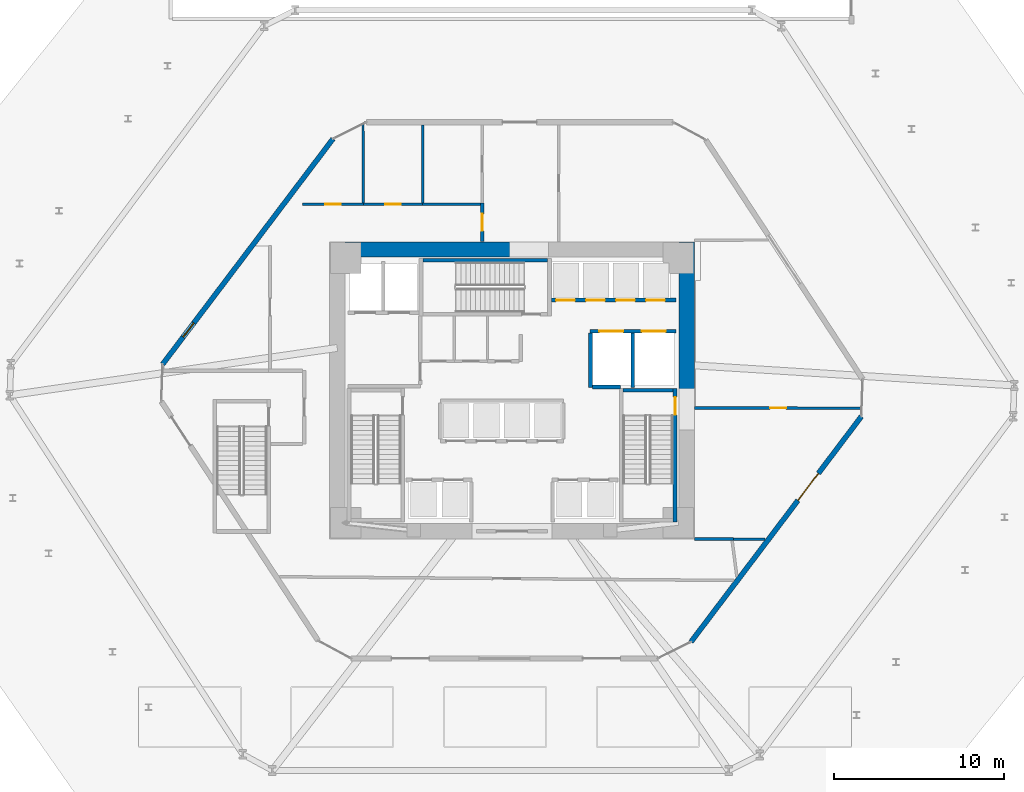
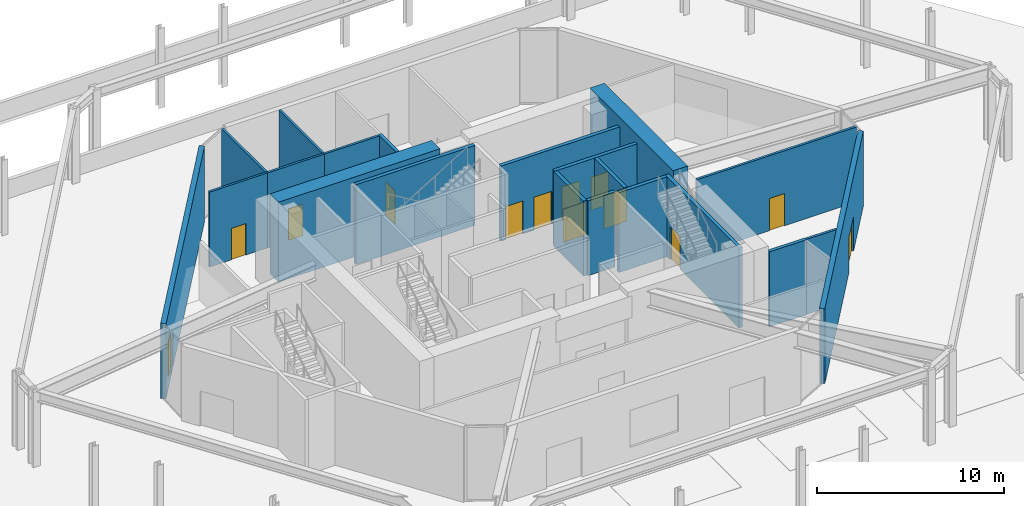
# One storey, part 14 of 18: 21 walls, 13 doors, 13 openings.
"""IFC4 building model written with IfcOpenShell, lengths in metres."""

from ifc_helpers import new_model, si_unit, direction, frame, frame_2d, origin, place, context, subcontext, project, spatial, rectangle, extrude, source, transform, mapped, material, layer, layer_set, type_object, type_shapes, element, fill, save


model = new_model("IFC4")

# Units and contexts
model_context = context("Model", 3, precision=1e-05, world=origin(), true_north=direction((0.0, 1.0)))
body_context = subcontext(model_context, "Body", "Model", "MODEL_VIEW")
ifc_project = project(units=[si_unit("LENGTHUNIT", "METRE"), si_unit("AREAUNIT", "SQUARE_METRE"), si_unit("VOLUMEUNIT", "CUBIC_METRE"), si_unit("PLANEANGLEUNIT", "RADIAN"), si_unit("MASSUNIT", "GRAM", prefix="KILO")], contexts=[model_context])

# Site, building, storey
site_placement = place(None, origin())
site = spatial("IfcSite", under=ifc_project, at=site_placement, CompositionType="ELEMENT")
building_placement = place(site_placement, origin())
building = spatial("IfcBuilding", under=site, at=building_placement, Name="Durnholm Broadcast Tower", CompositionType="ELEMENT")
storey_placement = place(building_placement, origin())
storey = spatial("IfcBuildingStorey", under=building, at=storey_placement, Name="L00", CompositionType="ELEMENT", Elevation=0.0)

# Walls
ifc_material_1 = material(Name="Concrete C70/85", Category="concrete")
ifc_layer_1 = layer(ifc_material_1, 0.89990234375)
ifc_layer_set_1 = layer_set([ifc_layer_1], Name="Concrete C70/85")
wall_type_1 = type_object("IfcWallType", Name="WALL-CW-900", PredefinedType="SHEAR", material=ifc_layer_set_1)
wall_1_placement = place(storey_placement, frame((10.300048828125, -0.14990234375, 0.0), z_axis=(0.0, 0.0, 1.0), x_axis=(0.0, 1.0, 0.0)))
element("IfcWall", 1, at=wall_1_placement, inside=storey, type_object=wall_type_1, Name="L00 central core shear wall CW-E2", PredefinedType="SHEAR", context=body_context, shape_type="SweptSolid", body=[
    extrude(rectangle(XDim=8.89990234375, YDim=0.89990234375, at=frame_2d((4.449951171875, 0.0))), origin(), (0.0, 0.0, 1.0), 5.199951171875),
])
wall_2_placement = place(storey_placement, frame((-9.85009765625, 8.300048828125, 0.0), z_axis=(0.0, 0.0, 1.0), x_axis=(1.0, 0.0, 0.0)))
element("IfcWall", 2, at=wall_2_placement, inside=storey, type_object=wall_type_1, Name="L00 central core shear wall CW-N1", PredefinedType="SHEAR", context=body_context, shape_type="SweptSolid", body=[
    extrude(rectangle(XDim=9.9501953125, YDim=0.89990234375, at=frame_2d((4.97509765625, 0.0))), origin(), (0.0, 0.0, 1.0), 5.199951171875),
])

# Wall, opening, door
ifc_material_2 = material(Name="Precast Concrete C45/55", Category="concrete")
ifc_layer_2 = layer(ifc_material_2, 0.300048828125)
ifc_layer_set_2 = layer_set([ifc_layer_2], Name="Precast Concrete C45/55")
wall_type_2 = type_object("IfcWallType", Name="WALL-EXT-300", PredefinedType="SOLIDWALL", material=ifc_layer_set_2)
wall_3_placement = place(storey_placement, frame((-20.588623046875, 1.537841796875, 0.0), z_axis=(0.0, 0.0, 1.0), x_axis=(0.603015201292, 0.797729695455, 0.0)))
wall_3 = element("IfcWall", 3, at=wall_3_placement, inside=storey, type_object=wall_type_2, Name="L00 plaza perimeter architectural wall 02", PredefinedType="SOLIDWALL", context=body_context, shape_type="SweptSolid", body=[
    extrude(rectangle(XDim=16.649658203125, YDim=0.300048828125, at=frame_2d((8.32470703125, 0.0))), origin(), (0.0, 0.0, 1.0), 4.89990234375),
])
opening_1_placement = place(wall_3_placement, frame((2.0, 0.0, 0.0)))
opening_1 = element("IfcOpeningElement", 4, at=opening_1_placement, cuts=wall_3, Name="Opening DE-FCC", PredefinedType="OPENING", context=body_context, shape_type="SweptSolid", body=[
    extrude(rectangle(XDim=1.050048828125, YDim=2.199951171875, at=frame_2d((0.52490234375, 1.10009765625))), frame((0.0, 0.16015625, 0.0), z_axis=(0.0, -1.0, 0.0), x_axis=(1.0, 0.0, 0.0)), (0.0, 0.0, 1.0), 0.320068359375),
])
ifc_material_3 = material(Name="Anodised Aluminium and Laminated Safety Glass", Category="aluminium")
ifc_layer_3 = layer(ifc_material_3, 0.050048828125)
ifc_layer_set_3 = layer_set([ifc_layer_3], Name="Anodised Aluminium and Laminated Safety Glass")
door_type_1 = type_object("IfcDoorType", Name="DOOR-EXT-FCC", OperationType="SINGLE_SWING_LEFT", PredefinedType="DOOR", material=ifc_layer_set_3)
shared_shape_1 = source(origin(), body_context, "Body", "SweptSolid", [
    extrude(rectangle(XDim=1.050048828125, YDim=2.199951171875, at=frame_2d((0.52490234375, 1.10009765625))), frame((0.0, 0.02490234375, 0.0), z_axis=(0.0, -1.0, 0.0), x_axis=(1.0, 0.0, 0.0)), (0.0, 0.0, 1.0), 0.050048828125),
])
type_shapes(door_type_1, [shared_shape_1])
door_1_placement = place(opening_1_placement, origin())
door_1 = element("IfcDoor", 5, at=door_1_placement, inside=storey, type_object=door_type_1, Name="L00 Fire Command Center exterior exit door 2", OperationType="SINGLE_SWING_LEFT", OverallHeight=2.199951171875, OverallWidth=1.050048828125, PredefinedType="DOOR", context=body_context, shape_type="MappedRepresentation", body=[
    mapped(shared_shape_1, transform((0.0, 0.0, 0.0), x_axis=(1.0, 0.0, 0.0), y_axis=(0.0, 1.0, 0.0), z_axis=(0.0, 0.0, 1.0), scale=1.0)),
])
fill(opening_1, door_1)

wall_4_placement = place(storey_placement, frame((20.588623046875, -1.537841796875, 0.0), z_axis=(0.0, 0.0, 1.0), x_axis=(-0.603015201292, -0.797729695455, 0.0)))
wall_4 = element("IfcWall", 6, at=wall_4_placement, inside=storey, type_object=wall_type_2, Name="L00 plaza perimeter architectural wall 08", PredefinedType="SOLIDWALL", context=body_context, shape_type="SweptSolid", body=[
    extrude(rectangle(XDim=16.649658203125, YDim=0.300048828125, at=frame_2d((8.32470703125, 0.0))), origin(), (0.0, 0.0, 1.0), 4.89990234375),
])
opening_2_placement = place(wall_4_placement, frame((4.199951171875, 0.0, 0.0)))
opening_2 = element("IfcOpeningElement", 7, at=opening_2_placement, cuts=wall_4, Name="Opening DE-2", PredefinedType="OPENING", context=body_context, shape_type="SweptSolid", body=[
    extrude(rectangle(XDim=2.0, YDim=2.300048828125, at=frame_2d((1.0, 1.14990234375))), frame((0.0, 0.16015625, 0.0), z_axis=(0.0, -1.0, 0.0), x_axis=(1.0, 0.0, 0.0)), (0.0, 0.0, 1.0), 0.320068359375),
])
ifc_layer_4 = layer(ifc_material_3, 0.050048828125)
ifc_layer_set_4 = layer_set([ifc_layer_4], Name="Anodised Aluminium and Laminated Safety Glass")
door_type_2 = type_object("IfcDoorType", Name="DOOR-EXT-EXIT", OperationType="DOUBLE_DOOR_SINGLE_SWING", PredefinedType="DOOR", material=ifc_layer_set_4)
shared_shape_2 = source(origin(), body_context, "Body", "SweptSolid", [
    extrude(rectangle(XDim=2.0, YDim=2.300048828125, at=frame_2d((1.0, 1.14990234375))), frame((0.0, 0.02490234375, 0.0), z_axis=(0.0, -1.0, 0.0), x_axis=(1.0, 0.0, 0.0)), (0.0, 0.0, 1.0), 0.050048828125),
])
type_shapes(door_type_2, [shared_shape_2])
door_2_placement = place(opening_2_placement, origin())
door_2 = element("IfcDoor", 8, at=door_2_placement, inside=storey, type_object=door_type_2, Name="L00 east protected exit discharge door 8", OperationType="DOUBLE_DOOR_SINGLE_SWING", OverallHeight=2.300048828125, OverallWidth=2.0, PredefinedType="DOOR", context=body_context, shape_type="MappedRepresentation", body=[
    mapped(shared_shape_2, transform((0.0, 0.0, 0.0), x_axis=(1.0, 0.0, 0.0), y_axis=(0.0, 1.0, 0.0), z_axis=(0.0, 0.0, 1.0), scale=1.0)),
])
fill(opening_2, door_2)

ifc_material_4 = material(Name="Fire-Rated Gypsum Shaftwall", Category="concrete")
ifc_layer_5 = layer(ifc_material_4, 0.199951171875)
ifc_layer_set_5 = layer_set([ifc_layer_5], Name="Fire-Rated Gypsum Shaftwall")
wall_type_3 = type_object("IfcWallType", Name="WALL-LOB-200", PredefinedType="SOLIDWALL", material=ifc_layer_set_5)
wall_5_placement = place(storey_placement, frame((-1.760009765625, 11.0400390625, 0.0), z_axis=(0.0, 0.0, 1.0), x_axis=(0.0, -1.0, 0.0)))
wall_5 = element("IfcWall", 9, at=wall_5_placement, inside=storey, type_object=wall_type_3, Name="L00 North Protected Exit Passageway 2-hour fire barrier", PredefinedType="SOLIDWALL", context=body_context, shape_type="SweptSolid", body=[
    extrude(rectangle(XDim=2.280029296875, YDim=0.199951171875, at=frame_2d((1.14013671875, 0.0))), origin(), (0.0, 0.0, 1.0), 4.885009765625),
])
opening_3_placement = place(wall_5_placement, frame((0.639892578125, 0.0, 0.0)))
opening_3 = element("IfcOpeningElement", 10, at=opening_3_placement, cuts=wall_5, Name="Opening DL-60L", PredefinedType="OPENING", context=body_context, shape_type="SweptSolid", body=[
    extrude(rectangle(XDim=1.0, YDim=2.14990234375, at=frame_2d((0.5, 1.074951171875))), frame((0.0, 0.10986328125, 0.0), z_axis=(0.0, -1.0, 0.0), x_axis=(1.0, 0.0, 0.0)), (0.0, 0.0, 1.0), 0.219970703125),
])
ifc_material_5 = material(Name="Fire-Rated Timber/Steel Door", Category="steel")
ifc_layer_6 = layer(ifc_material_5, 0.050048828125)
ifc_layer_set_6 = layer_set([ifc_layer_6], Name="Fire-Rated Timber/Steel Door")
door_type_3 = type_object("IfcDoorType", Name="DOOR-LOB-FD60-L", OperationType="NOTDEFINED", PredefinedType="DOOR", material=ifc_layer_set_6)
shared_shape_3 = source(origin(), body_context, "Body", "SweptSolid", [
    extrude(rectangle(XDim=1.0, YDim=2.14990234375, at=frame_2d((0.5, 1.074951171875))), frame((0.0, 0.02490234375, 0.0), z_axis=(0.0, -1.0, 0.0), x_axis=(1.0, 0.0, 0.0)), (0.0, 0.0, 1.0), 0.050048828125),
])
type_shapes(door_type_3, [shared_shape_3])
door_3_placement = place(opening_3_placement, origin())
door_3 = element("IfcDoor", 11, at=door_3_placement, inside=storey, type_object=door_type_3, Name="L00 North Protected Exit Passageway smoke barrier door", OperationType="SINGLE_SWING_LEFT", OverallHeight=2.14990234375, OverallWidth=1.0, PredefinedType="DOOR", context=body_context, shape_type="MappedRepresentation", body=[
    mapped(shared_shape_3, transform((0.0, 0.0, 0.0), x_axis=(1.0, 0.0, 0.0), y_axis=(0.0, 1.0, 0.0), z_axis=(0.0, 0.0, 1.0), scale=1.0)),
])
fill(opening_3, door_3)

# Wall
wall_6_placement = place(storey_placement, frame((10.760009765625, -8.760009765625, 0.0), z_axis=(0.0, 0.0, 1.0), x_axis=(1.0, 0.0, 0.0)))
element("IfcWall", 12, at=wall_6_placement, inside=storey, type_object=wall_type_3, Name="L00 East Protected Exit Passageway 2-hour fire barrier", PredefinedType="SOLIDWALL", context=body_context, shape_type="SweptSolid", body=[
    extrude(rectangle(XDim=2.280029296875, YDim=0.199951171875, at=frame_2d((1.14013671875, 0.0))), origin(), (0.0, 0.0, 1.0), 4.885009765625),
])

# Wall, opening, door
ifc_material_6 = material(Name="Acoustic Gypsum Stud Partition", Category="concrete")
ifc_layer_7 = layer(ifc_material_6, 0.14990234375)
ifc_layer_set_7 = layer_set([ifc_layer_7], Name="Acoustic Gypsum Stud Partition")
wall_type_4 = type_object("IfcWallType", Name="WALL-PART-150", PredefinedType="PARTITIONING", material=ifc_layer_set_7)
wall_7_placement = place(storey_placement, frame((20.605224609375, -1.041259765625, 0.0), z_axis=(0.0, 0.0, 1.0), x_axis=(-0.999999992313, 0.000123989485, 0.0)))
wall_7 = element("IfcWall", 13, at=wall_7_placement, inside=storey, type_object=wall_type_4, Name="L00 Broadcast Loading and Scene Dock corridor partition", PredefinedType="PARTITIONING", context=body_context, shape_type="SweptSolid", body=[
    extrude(rectangle(XDim=9.84521484375, YDim=0.14990234375, at=frame_2d((4.922607421875, 0.0))), origin(), (0.0, 0.0, 1.0), 4.885009765625),
])
opening_4_placement = place(wall_7_placement, frame((4.447509765625, 0.0, 0.0)))
opening_4 = element("IfcOpeningElement", 14, at=opening_4_placement, cuts=wall_7, Name="Opening DR-95L", PredefinedType="OPENING", context=body_context, shape_type="SweptSolid", body=[
    extrude(rectangle(XDim=0.949951171875, YDim=2.10009765625, at=frame_2d((0.47509765625, 1.050048828125))), frame((0.0, 0.0849609375, 0.0), z_axis=(0.0, -1.0, 0.0), x_axis=(1.0, 0.0, 0.0)), (0.0, 0.0, 1.0), 0.169921875),
])
ifc_material_7 = material(Name="Acoustic Oak Veneer Timber Door", Category="wood")
ifc_layer_8 = layer(ifc_material_7, 0.050048828125)
ifc_layer_set_8 = layer_set([ifc_layer_8], Name="Acoustic Oak Veneer Timber Door")
door_type_4 = type_object("IfcDoorType", Name="DOOR-RM-950L", OperationType="NOTDEFINED", PredefinedType="DOOR", material=ifc_layer_set_8)
shared_shape_4 = source(origin(), body_context, "Body", "SweptSolid", [
    extrude(rectangle(XDim=0.949951171875, YDim=2.10009765625, at=frame_2d((0.47509765625, 1.050048828125))), frame((0.0, 0.02490234375, 0.0), z_axis=(0.0, -1.0, 0.0), x_axis=(1.0, 0.0, 0.0)), (0.0, 0.0, 1.0), 0.050048828125),
])
type_shapes(door_type_4, [shared_shape_4])
door_4_placement = place(opening_4_placement, origin())
door_4 = element("IfcDoor", 15, at=door_4_placement, inside=storey, type_object=door_type_4, Name="L00 Broadcast Loading and Scene Dock entrance door", OperationType="SINGLE_SWING_LEFT", OverallHeight=2.10009765625, OverallWidth=0.949951171875, PredefinedType="DOOR", context=body_context, shape_type="MappedRepresentation", body=[
    mapped(shared_shape_4, transform((0.0, 0.0, 0.0), x_axis=(1.0, 0.0, 0.0), y_axis=(0.0, 1.0, 0.0), z_axis=(0.0, 0.0, 1.0), scale=1.0)),
])
fill(opening_4, door_4)

# Wall
wall_8_placement = place(storey_placement, frame((13.0400390625, -8.760986328125, 0.0), z_axis=(0.0, 0.0, 1.0), x_axis=(0.999937520904, -0.011178295437, 0.0)))
element("IfcWall", 16, at=wall_8_placement, inside=storey, type_object=wall_type_4, Name="L00 Main Broadcast Reception Hall corridor partition", PredefinedType="PARTITIONING", context=body_context, shape_type="SweptSolid", body=[
    extrude(rectangle(XDim=1.878173828125, YDim=0.14990234375, at=frame_2d((0.93896484375, 0.0))), origin(), (0.0, 0.0, 1.0), 4.885009765625),
])

# Wall, openings, doors
ifc_material_8 = material(Name="Concrete Blockwork C30/37", Category="masonry")
ifc_layer_9 = layer(ifc_material_8, 0.219970703125)
ifc_layer_set_9 = layer_set([ifc_layer_9], Name="Concrete Blockwork C30/37")
wall_type_5 = type_object("IfcWallType", Name="WALL-SHAFT-220", PredefinedType="SOLIDWALL", material=ifc_layer_set_9)
wall_9_placement = place(storey_placement, frame((4.60009765625, 3.47998046875, 0.0), z_axis=(0.0, 0.0, 1.0), x_axis=(1.0, 0.0, 0.0)))
wall_9 = element("IfcWall", 17, at=wall_9_placement, inside=storey, type_object=wall_type_5, Name="L00 freight service lifts north front wall", PredefinedType="SOLIDWALL", context=body_context, shape_type="SweptSolid", body=[
    extrude(rectangle(XDim=5.0498046875, YDim=0.219970703125, at=frame_2d((2.52490234375, 0.0))), origin(), (0.0, 0.0, 1.0), 4.885009765625),
])
opening_5_placement = place(wall_9_placement, frame((0.550048828125, 0.0, 0.0)))
opening_5 = element("IfcOpeningElement", 18, at=opening_5_placement, cuts=wall_9, Name="Opening LD-SVL-2", PredefinedType="OPENING", context=body_context, shape_type="SweptSolid", body=[
    extrude(rectangle(XDim=1.39990234375, YDim=2.14990234375, at=frame_2d((0.699951171875, 1.074951171875))), frame((0.0, 0.1201171875, 0.0), z_axis=(0.0, -1.0, 0.0), x_axis=(1.0, 0.0, 0.0)), (0.0, 0.0, 1.0), 0.239990234375),
])
opening_6_placement = place(wall_9_placement, frame((3.050048828125, 0.0, 0.0)))
opening_6 = element("IfcOpeningElement", 19, at=opening_6_placement, cuts=wall_9, Name="Opening LD-SVL-1", PredefinedType="OPENING", context=body_context, shape_type="SweptSolid", body=[
    extrude(rectangle(XDim=1.39990234375, YDim=2.14990234375, at=frame_2d((0.699951171875, 1.074951171875))), frame((0.0, 0.1201171875, 0.0), z_axis=(0.0, -1.0, 0.0), x_axis=(1.0, 0.0, 0.0)), (0.0, 0.0, 1.0), 0.239990234375),
])
ifc_material_9 = material(Name="Freight Elevator Bi-Parting Sliding Landing Door", Category="steel")
ifc_layer_10 = layer(ifc_material_9, 0.050048828125)
ifc_layer_set_10 = layer_set([ifc_layer_10], Name="Freight Elevator Bi-Parting Sliding Landing Door")
door_type_5 = type_object("IfcDoorType", Name="DOOR-LIFT-SVL", OperationType="DOUBLE_DOOR_SLIDING", PredefinedType="DOOR", material=ifc_layer_set_10)
shared_shape_5 = source(origin(), body_context, "Body", "SweptSolid", [
    extrude(rectangle(XDim=1.39990234375, YDim=2.14990234375, at=frame_2d((0.699951171875, 1.074951171875))), frame((0.0, 0.02490234375, 0.0), z_axis=(0.0, -1.0, 0.0), x_axis=(1.0, 0.0, 0.0)), (0.0, 0.0, 1.0), 0.050048828125),
])
type_shapes(door_type_5, [shared_shape_5])
door_5_placement = place(opening_5_placement, origin())
door_5 = element("IfcDoor", 20, at=door_5_placement, inside=storey, type_object=door_type_5, Name="L00 freight service elevator SVL-2 sliding landing door", OperationType="DOUBLE_DOOR_SLIDING", OverallHeight=2.14990234375, OverallWidth=1.39990234375, PredefinedType="DOOR", context=body_context, shape_type="MappedRepresentation", body=[
    mapped(shared_shape_5, transform((0.0, 0.0, 0.0), x_axis=(1.0, 0.0, 0.0), y_axis=(0.0, 1.0, 0.0), z_axis=(0.0, 0.0, 1.0), scale=1.0)),
])
fill(opening_5, door_5)
door_6_placement = place(opening_6_placement, origin())
door_6 = element("IfcDoor", 21, at=door_6_placement, inside=storey, type_object=door_type_5, Name="L00 freight service elevator SVL-1 sliding landing door", OperationType="DOUBLE_DOOR_SLIDING", OverallHeight=2.14990234375, OverallWidth=1.39990234375, PredefinedType="DOOR", context=body_context, shape_type="MappedRepresentation", body=[
    mapped(shared_shape_5, transform((0.0, 0.0, 0.0), x_axis=(1.0, 0.0, 0.0), y_axis=(0.0, 1.0, 0.0), z_axis=(0.0, 0.0, 1.0), scale=1.0)),
])
fill(opening_6, door_6)

# Walls
for number, where, z_axis, x_axis, name in (
    (22, (4.6201171875, 0.179931640625, 0.0), (0.0, 0.0, 1.0), (0.0, 1.0, 0.0), "L00 freight service lift SVL-2 west wall"),
    (23, (7.1201171875, 0.179931640625, 0.0), (0.0, 0.0, 1.0), (0.0, 1.0, 0.0), "L00 freight service lifts divider wall"),
):
    element("IfcWall", number, at=place(storey_placement, frame(where, z_axis=z_axis, x_axis=x_axis)), inside=storey, type_object=wall_type_5, Name=name, PredefinedType="SOLIDWALL", context=body_context, shape_type="SweptSolid", body=[
        extrude(rectangle(XDim=3.18603515625, YDim=0.219970703125, at=frame_2d((1.593017578125, 0.0))), origin(), (0.0, 0.0, 1.0), 4.885009765625),
    ])
wall_10_placement = place(storey_placement, frame((4.73388671875, 0.199951171875, 0.0), z_axis=(0.0, 0.0, 1.0), x_axis=(1.0, 0.0, 0.0)))
element("IfcWall", 24, at=wall_10_placement, inside=storey, type_object=wall_type_5, Name="L00 freight service lift SVL-2 south wall", PredefinedType="SOLIDWALL", context=body_context, shape_type="SweptSolid", body=[
    extrude(rectangle(XDim=1.666015625, YDim=0.219970703125, at=frame_2d((0.8330078125, 0.0))), origin(), (0.0, 0.0, 1.0), 4.885009765625),
])

# Wall, openings, doors
wall_11_placement = place(storey_placement, frame((2.324951171875, 5.320068359375, 0.0), z_axis=(0.0, 0.0, 1.0), x_axis=(1.0, 0.0, 0.0)))
wall_11 = element("IfcWall", 25, at=wall_11_placement, inside=storey, type_object=wall_type_5, Name="L00 high-rise bank P3 south front wall", PredefinedType="SOLIDWALL", context=body_context, shape_type="SweptSolid", body=[
    extrude(rectangle(XDim=7.324951171875, YDim=0.219970703125, at=frame_2d((3.66259765625, 0.0))), origin(), (0.0, 0.0, 1.0), 4.885009765625),
])
opening_7_placement = place(wall_11_placement, frame((0.27490234375, 0.0, 0.0)))
opening_7 = element("IfcOpeningElement", 26, at=opening_7_placement, cuts=wall_11, Name="Opening LD-LP3-1", PredefinedType="OPENING", context=body_context, shape_type="SweptSolid", body=[
    extrude(rectangle(XDim=1.10009765625, YDim=2.14990234375, at=frame_2d((0.550048828125, 1.074951171875))), frame((0.0, 0.1201171875, 0.0), z_axis=(0.0, -1.0, 0.0), x_axis=(1.0, 0.0, 0.0)), (0.0, 0.0, 1.0), 0.239990234375),
])
opening_8_placement = place(wall_11_placement, frame((2.044921875, 0.0, 0.0)))
opening_8 = element("IfcOpeningElement", 27, at=opening_8_placement, cuts=wall_11, Name="Opening LD-LP3-2", PredefinedType="OPENING", context=body_context, shape_type="SweptSolid", body=[
    extrude(rectangle(XDim=1.10009765625, YDim=2.14990234375, at=frame_2d((0.550048828125, 1.074951171875))), frame((0.0, 0.1201171875, 0.0), z_axis=(0.0, -1.0, 0.0), x_axis=(1.0, 0.0, 0.0)), (0.0, 0.0, 1.0), 0.239990234375),
])
opening_9_placement = place(wall_11_placement, frame((3.81494140625, 0.0, 0.0)))
opening_9 = element("IfcOpeningElement", 28, at=opening_9_placement, cuts=wall_11, Name="Opening LD-LP3-3", PredefinedType="OPENING", context=body_context, shape_type="SweptSolid", body=[
    extrude(rectangle(XDim=1.10009765625, YDim=2.14990234375, at=frame_2d((0.550048828125, 1.074951171875))), frame((0.0, 0.1201171875, 0.0), z_axis=(0.0, -1.0, 0.0), x_axis=(1.0, 0.0, 0.0)), (0.0, 0.0, 1.0), 0.239990234375),
])
opening_10_placement = place(wall_11_placement, frame((5.5849609375, 0.0, 0.0)))
opening_10 = element("IfcOpeningElement", 29, at=opening_10_placement, cuts=wall_11, Name="Opening LD-LP3-4", PredefinedType="OPENING", context=body_context, shape_type="SweptSolid", body=[
    extrude(rectangle(XDim=1.10009765625, YDim=2.14990234375, at=frame_2d((0.550048828125, 1.074951171875))), frame((0.0, 0.1201171875, 0.0), z_axis=(0.0, -1.0, 0.0), x_axis=(1.0, 0.0, 0.0)), (0.0, 0.0, 1.0), 0.239990234375),
])
ifc_material_10 = material(Name="Stainless Steel Sliding Elevator Landing Door", Category="steel")
ifc_layer_11 = layer(ifc_material_10, 0.050048828125)
ifc_layer_set_11 = layer_set([ifc_layer_11], Name="Stainless Steel Sliding Elevator Landing Door")
door_type_6 = type_object("IfcDoorType", Name="DOOR-LIFT-PAX", OperationType="DOUBLE_DOOR_SLIDING", PredefinedType="DOOR", material=ifc_layer_set_11)
shared_shape_6 = source(origin(), body_context, "Body", "SweptSolid", [
    extrude(rectangle(XDim=1.10009765625, YDim=2.14990234375, at=frame_2d((0.550048828125, 1.074951171875))), frame((0.0, 0.02490234375, 0.0), z_axis=(0.0, -1.0, 0.0), x_axis=(1.0, 0.0, 0.0)), (0.0, 0.0, 1.0), 0.050048828125),
])
type_shapes(door_type_6, [shared_shape_6])
door_7_placement = place(opening_7_placement, origin())
door_7 = element("IfcDoor", 30, at=door_7_placement, inside=storey, type_object=door_type_6, Name="L00 high-rise elevator LP3-1 sliding landing door", OperationType="DOUBLE_DOOR_SLIDING", OverallHeight=2.14990234375, OverallWidth=1.10009765625, PredefinedType="DOOR", context=body_context, shape_type="MappedRepresentation", body=[
    mapped(shared_shape_6, transform((0.0, 0.0, 0.0), x_axis=(1.0, 0.0, 0.0), y_axis=(0.0, 1.0, 0.0), z_axis=(0.0, 0.0, 1.0), scale=1.0)),
])
fill(opening_7, door_7)
door_8_placement = place(opening_8_placement, origin())
door_8 = element("IfcDoor", 31, at=door_8_placement, inside=storey, type_object=door_type_6, Name="L00 high-rise elevator LP3-2 sliding landing door", OperationType="DOUBLE_DOOR_SLIDING", OverallHeight=2.14990234375, OverallWidth=1.10009765625, PredefinedType="DOOR", context=body_context, shape_type="MappedRepresentation", body=[
    mapped(shared_shape_6, transform((0.0, 0.0, 0.0), x_axis=(1.0, 0.0, 0.0), y_axis=(0.0, 1.0, 0.0), z_axis=(0.0, 0.0, 1.0), scale=1.0)),
])
fill(opening_8, door_8)
door_9_placement = place(opening_9_placement, origin())
door_9 = element("IfcDoor", 32, at=door_9_placement, inside=storey, type_object=door_type_6, Name="L00 high-rise elevator LP3-3 sliding landing door", OperationType="DOUBLE_DOOR_SLIDING", OverallHeight=2.14990234375, OverallWidth=1.10009765625, PredefinedType="DOOR", context=body_context, shape_type="MappedRepresentation", body=[
    mapped(shared_shape_6, transform((0.0, 0.0, 0.0), x_axis=(1.0, 0.0, 0.0), y_axis=(0.0, 1.0, 0.0), z_axis=(0.0, 0.0, 1.0), scale=1.0)),
])
fill(opening_9, door_9)
door_10_placement = place(opening_10_placement, origin())
door_10 = element("IfcDoor", 33, at=door_10_placement, inside=storey, type_object=door_type_6, Name="L00 high-rise elevator LP3-4 sliding landing door", OperationType="DOUBLE_DOOR_SLIDING", OverallHeight=2.14990234375, OverallWidth=1.10009765625, PredefinedType="DOOR", context=body_context, shape_type="MappedRepresentation", body=[
    mapped(shared_shape_6, transform((0.0, 0.0, 0.0), x_axis=(1.0, 0.0, 0.0), y_axis=(0.0, 1.0, 0.0), z_axis=(0.0, 0.0, 1.0), scale=1.0)),
])
fill(opening_10, door_10)

# Wall, opening, door
ifc_material_11 = material(Name="Concrete C50/60", Category="concrete")
ifc_layer_12 = layer(ifc_material_11, 0.219970703125)
ifc_layer_set_12 = layer_set([ifc_layer_12], Name="Concrete C50/60")
wall_type_6 = type_object("IfcWallType", Name="WALL-SW-220", PredefinedType="SHEAR", material=ifc_layer_set_12)
wall_12_placement = place(storey_placement, frame((9.610107421875, -7.77001953125, -0.300048828125), z_axis=(0.0, 0.0, 1.0), x_axis=(0.0, 1.0, 0.0)))
wall_12 = element("IfcWall", 34, at=wall_12_placement, inside=storey, type_object=wall_type_6, Name="L00 stair ST-2 structural shaft wall E", PredefinedType="SHEAR", context=body_context, shape_type="SweptSolid", body=[
    extrude(rectangle(XDim=7.89013671875, YDim=0.219970703125, at=frame_2d((3.945068359375, 0.0))), origin(), (0.0, 0.0, 1.0), 5.199951171875),
])
opening_11_placement = place(wall_12_placement, frame((6.320068359375, 0.0, 0.0)))
opening_11 = element("IfcOpeningElement", 35, at=opening_11_placement, cuts=wall_12, Name="Opening DS-90L", PredefinedType="OPENING", context=body_context, shape_type="SweptSolid", body=[
    extrude(rectangle(XDim=1.050048828125, YDim=2.14990234375, at=frame_2d((0.52490234375, 1.074951171875))), frame((0.0, 0.1201171875, 0.0), z_axis=(0.0, -1.0, 0.0), x_axis=(1.0, 0.0, 0.0)), (0.0, 0.0, 1.0), 0.239990234375),
])
ifc_material_12 = material(Name="Fire-Rated Steel Door", Category="steel")
ifc_layer_13 = layer(ifc_material_12, 0.050048828125)
ifc_layer_set_13 = layer_set([ifc_layer_13], Name="Fire-Rated Steel Door")
door_type_7 = type_object("IfcDoorType", Name="DOOR-ST-FD90-L", OperationType="NOTDEFINED", PredefinedType="DOOR", material=ifc_layer_set_13)
shared_shape_7 = source(origin(), body_context, "Body", "SweptSolid", [
    extrude(rectangle(XDim=1.050048828125, YDim=2.14990234375, at=frame_2d((0.52490234375, 1.074951171875))), frame((0.0, 0.02490234375, 0.0), z_axis=(0.0, -1.0, 0.0), x_axis=(1.0, 0.0, 0.0)), (0.0, 0.0, 1.0), 0.050048828125),
])
type_shapes(door_type_7, [shared_shape_7])
door_11_placement = place(opening_11_placement, origin())
door_11 = element("IfcDoor", 36, at=door_11_placement, inside=storey, type_object=door_type_7, Name="L00 exit stair ST-2 east protected discharge door", OperationType="SINGLE_SWING_LEFT", OverallHeight=2.14990234375, OverallWidth=1.050048828125, PredefinedType="DOOR", context=body_context, shape_type="MappedRepresentation", body=[
    mapped(shared_shape_7, transform((0.0, 0.0, 0.0), x_axis=(1.0, 0.0, 0.0), y_axis=(0.0, 1.0, 0.0), z_axis=(0.0, 0.0, 1.0), scale=1.0)),
])
fill(opening_11, door_11)

# Walls
wall_13_placement = place(storey_placement, frame((9.5, 0.010009765625, -0.300048828125), z_axis=(0.0, 0.0, 1.0), x_axis=(-1.0, 0.0, 0.0)))
element("IfcWall", 37, at=wall_13_placement, inside=storey, type_object=wall_type_6, Name="L00 stair ST-2 structural shaft wall N", PredefinedType="SHEAR", context=body_context, shape_type="SweptSolid", body=[
    extrude(rectangle(XDim=2.9599609375, YDim=0.219970703125, at=frame_2d((1.47998046875, 0.0))), origin(), (0.0, 0.0, 1.0), 5.199951171875),
])
wall_14_placement = place(storey_placement, frame((2.10009765625, 7.669921875, -0.300048828125), z_axis=(0.0, 0.0, 1.0), x_axis=(-1.0, 0.0, 0.0)))
element("IfcWall", 38, at=wall_14_placement, inside=storey, type_object=wall_type_6, Name="L00 stair ST-3 structural shaft wall N", PredefinedType="SHEAR", context=body_context, shape_type="SweptSolid", body=[
    extrude(rectangle(XDim=7.35009765625, YDim=0.219970703125, at=frame_2d((3.675048828125, 0.0))), origin(), (0.0, 0.0, 1.0), 5.199951171875),
])

# Wall, opening, door
ifc_material_13 = material(Name="Moisture-Resistant Tile Partition", Category="concrete")
ifc_layer_14 = layer(ifc_material_13, 0.139892578125)
ifc_layer_set_14 = layer_set([ifc_layer_14], Name="Moisture-Resistant Tile Partition")
wall_type_7 = type_object("IfcWallType", Name="WALL-WC-140", PredefinedType="PARTITIONING", material=ifc_layer_set_14)
wall_15_placement = place(storey_placement, frame((-8.760009765625, 10.9599609375, 0.0), z_axis=(0.0, 0.0, 1.0), x_axis=(-1.0, 0.0, 0.0)))
wall_15 = element("IfcWall", 39, at=wall_15_placement, inside=storey, type_object=wall_type_7, Name="L00 Men's Restroom corridor partition", PredefinedType="PARTITIONING", context=body_context, shape_type="SweptSolid", body=[
    extrude(rectangle(XDim=3.580078125, YDim=0.139892578125, at=frame_2d((1.7900390625, 0.0))), origin(), (0.0, 0.0, 1.0), 4.885009765625),
])
opening_12_placement = place(wall_15_placement, frame((1.340087890625, 0.0, 0.0)))
opening_12 = element("IfcOpeningElement", 40, at=opening_12_placement, cuts=wall_15, Name="Opening DW-90R", PredefinedType="OPENING", context=body_context, shape_type="SweptSolid", body=[
    extrude(rectangle(XDim=0.89990234375, YDim=2.050048828125, at=frame_2d((0.449951171875, 1.02490234375))), frame((0.0, 0.080078125, 0.0), z_axis=(0.0, -1.0, 0.0), x_axis=(1.0, 0.0, 0.0)), (0.0, 0.0, 1.0), 0.159912109375),
])
ifc_material_14 = material(Name="Laminate Restroom Door", Category="steel")
ifc_layer_15 = layer(ifc_material_14, 0.050048828125)
ifc_layer_set_15 = layer_set([ifc_layer_15], Name="Laminate Restroom Door")
door_type_8 = type_object("IfcDoorType", Name="DOOR-WC-900R", OperationType="NOTDEFINED", PredefinedType="DOOR", material=ifc_layer_set_15)
shared_shape_8 = source(origin(), body_context, "Body", "SweptSolid", [
    extrude(rectangle(XDim=0.89990234375, YDim=2.050048828125, at=frame_2d((0.449951171875, 1.02490234375))), frame((0.0, 0.02490234375, 0.0), z_axis=(0.0, -1.0, 0.0), x_axis=(1.0, 0.0, 0.0)), (0.0, 0.0, 1.0), 0.050048828125),
])
type_shapes(door_type_8, [shared_shape_8])
door_12_placement = place(opening_12_placement, origin())
door_12 = element("IfcDoor", 41, at=door_12_placement, inside=storey, type_object=door_type_8, Name="L00 Men's Restroom entrance door", OperationType="SINGLE_SWING_RIGHT", OverallHeight=2.050048828125, OverallWidth=0.89990234375, PredefinedType="DOOR", context=body_context, shape_type="MappedRepresentation", body=[
    mapped(shared_shape_8, transform((0.0, 0.0, 0.0), x_axis=(1.0, 0.0, 0.0), y_axis=(0.0, 1.0, 0.0), z_axis=(0.0, 0.0, 1.0), scale=1.0)),
])
fill(opening_12, door_12)

wall_16_placement = place(storey_placement, frame((-5.260009765625, 10.9599609375, 0.0), z_axis=(0.0, 0.0, 1.0), x_axis=(-1.0, 0.0, 0.0)))
wall_16 = element("IfcWall", 42, at=wall_16_placement, inside=storey, type_object=wall_type_7, Name="L00 Women's Restroom corridor partition", PredefinedType="PARTITIONING", context=body_context, shape_type="SweptSolid", body=[
    extrude(rectangle(XDim=3.5, YDim=0.139892578125, at=frame_2d((1.75, 0.0))), origin(), (0.0, 0.0, 1.0), 4.885009765625),
])
opening_13_placement = place(wall_16_placement, frame((1.300048828125, 0.0, 0.0)))
opening_13 = element("IfcOpeningElement", 43, at=opening_13_placement, cuts=wall_16, Name="Opening DW-90L", PredefinedType="OPENING", context=body_context, shape_type="SweptSolid", body=[
    extrude(rectangle(XDim=0.89990234375, YDim=2.050048828125, at=frame_2d((0.449951171875, 1.02490234375))), frame((0.0, 0.080078125, 0.0), z_axis=(0.0, -1.0, 0.0), x_axis=(1.0, 0.0, 0.0)), (0.0, 0.0, 1.0), 0.159912109375),
])
ifc_layer_16 = layer(ifc_material_14, 0.050048828125)
ifc_layer_set_16 = layer_set([ifc_layer_16], Name="Laminate Restroom Door")
door_type_9 = type_object("IfcDoorType", Name="DOOR-WC-900L", OperationType="NOTDEFINED", PredefinedType="DOOR", material=ifc_layer_set_16)
shared_shape_9 = source(origin(), body_context, "Body", "SweptSolid", [
    extrude(rectangle(XDim=0.89990234375, YDim=2.050048828125, at=frame_2d((0.449951171875, 1.02490234375))), frame((0.0, 0.02490234375, 0.0), z_axis=(0.0, -1.0, 0.0), x_axis=(1.0, 0.0, 0.0)), (0.0, 0.0, 1.0), 0.050048828125),
])
type_shapes(door_type_9, [shared_shape_9])
door_13_placement = place(opening_13_placement, origin())
door_13 = element("IfcDoor", 44, at=door_13_placement, inside=storey, type_object=door_type_9, Name="L00 Women's Restroom entrance door", OperationType="SINGLE_SWING_LEFT", OverallHeight=2.050048828125, OverallWidth=0.89990234375, PredefinedType="DOOR", context=body_context, shape_type="MappedRepresentation", body=[
    mapped(shared_shape_9, transform((0.0, 0.0, 0.0), x_axis=(1.0, 0.0, 0.0), y_axis=(0.0, 1.0, 0.0), z_axis=(0.0, 0.0, 1.0), scale=1.0)),
])
fill(opening_13, door_13)

# Walls
wall_17_placement = place(storey_placement, frame((-1.864013671875, 10.9599609375, 0.0), z_axis=(0.0, 0.0, 1.0), x_axis=(-1.0, 0.0, 0.0)))
element("IfcWall", 45, at=wall_17_placement, inside=storey, type_object=wall_type_7, Name="L00 Accessible Restroom corridor partition", PredefinedType="PARTITIONING", context=body_context, shape_type="SweptSolid", body=[
    extrude(rectangle(XDim=3.39599609375, YDim=0.139892578125, at=frame_2d((1.697998046875, 0.0))), origin(), (0.0, 0.0, 1.0), 4.885009765625),
])
wall_18_placement = place(storey_placement, frame((-8.77783203125, 15.701171875, 0.0), z_axis=(0.0, 0.0, 1.0), x_axis=(0.003766254608, -0.999992907638, 0.0)))
element("IfcWall", 46, at=wall_18_placement, inside=storey, type_object=wall_type_7, Name="L00 room dividing partition 5.6", PredefinedType="PARTITIONING", context=body_context, shape_type="SweptSolid", body=[
    extrude(rectangle(XDim=4.667236328125, YDim=0.139892578125, at=frame_2d((2.33349609375, 0.0))), origin(), (0.0, 0.0, 1.0), 4.885009765625),
])
wall_19_placement = place(storey_placement, frame((-5.260009765625, 15.64501953125, 0.0), z_axis=(0.0, 0.0, 1.0), x_axis=(0.0, -1.0, 0.0)))
element("IfcWall", 47, at=wall_19_placement, inside=storey, type_object=wall_type_7, Name="L00 room dividing partition 6.7", PredefinedType="PARTITIONING", context=body_context, shape_type="SweptSolid", body=[
    extrude(rectangle(XDim=4.611083984375, YDim=0.139892578125, at=frame_2d((2.3056640625, 0.0))), origin(), (0.0, 0.0, 1.0), 4.885009765625),
])

save(model, "model.ifc")
